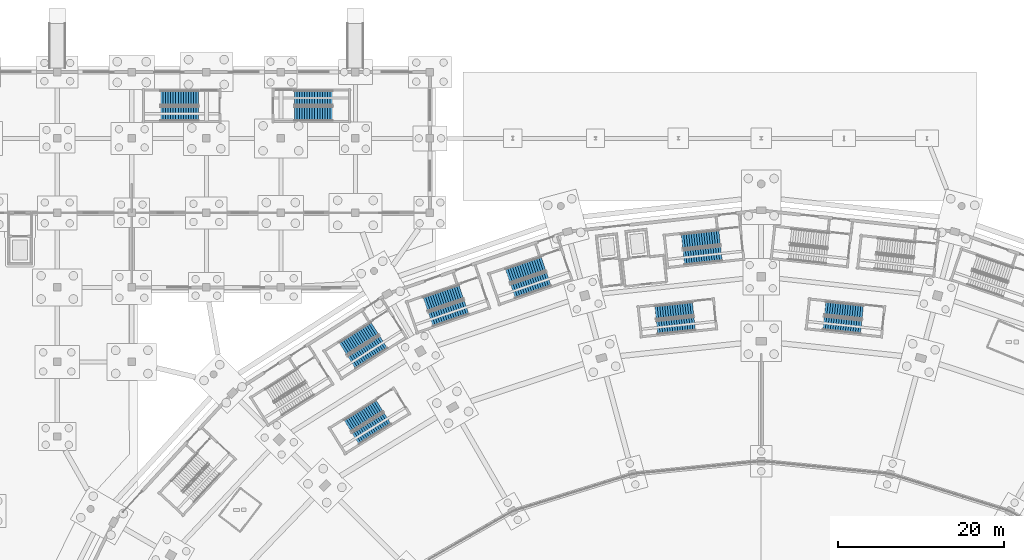
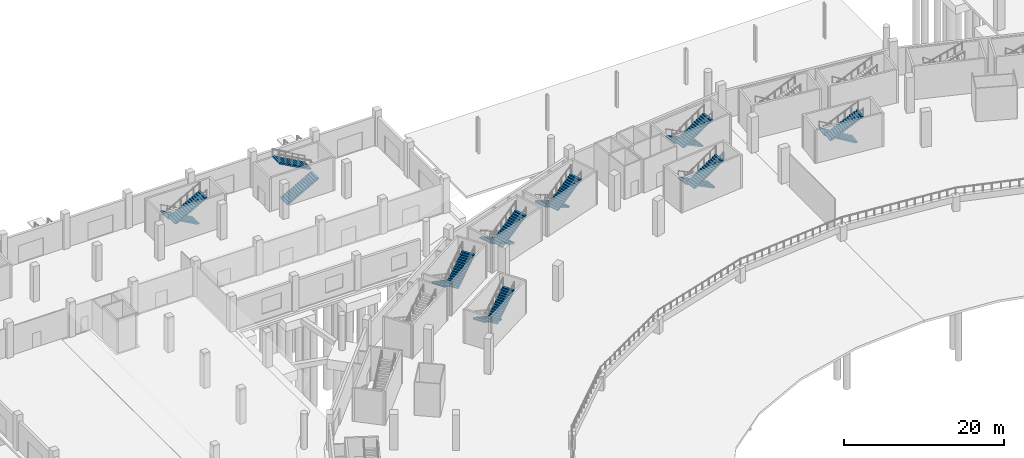
# One storey, part 54 of 103: 18 stair flights, 9 elements without a shape of their own.
"""IFC4 building model written with IfcOpenShell, lengths in metres."""

import ifcopenshell
import ifcopenshell.guid

model = None  # the IFC model being written
_history = None  # IfcOwnerHistory: only IFC2X3 demands one
_inside = {}  # id of a spatial element -> (the spatial element, [elements in it])
_under = {}  # id of a project, library or spatial element -> (it, [spatial elements below it])
_declared = {}  # id of a project -> (the project, [libraries it declares])
_typed = {}  # id of a type object -> (the type object, [elements of that type])
_made_of = {}  # id of a material, layer set ... -> (it, [elements and type objects made of it])


def new_model(schema):
    """Start an empty IFC model of exactly this schema.

    Asked for "IFC4X3", IfcOpenShell would pick the latest addendum, in which some entities
    have other attributes; the version numbers below select the first issue.
    IFC2X3 requires an IfcOwnerHistory on every rooted entity: one is made here for all.
    """
    global model, _history
    if schema == "IFC4X3":
        model = ifcopenshell.file(schema_version=(4, 3, 0, 0))
    else:
        model = ifcopenshell.file(schema=schema)
    _inside.clear()
    _under.clear()
    _declared.clear()
    _typed.clear()
    _made_of.clear()
    _history = None
    if model.schema == "IFC2X3":
        org = make("IfcOrganization", Name="unknown")
        user = make(
            "IfcPersonAndOrganization",
            ThePerson=make("IfcPerson", FamilyName="unknown"),
            TheOrganization=org,
        )
        app = make(
            "IfcApplication",
            ApplicationDeveloper=org,
            Version="unknown",
            ApplicationFullName="unknown",
            ApplicationIdentifier="unknown",
        )
        _history = make(
            "IfcOwnerHistory",
            OwningUser=user,
            OwningApplication=app,
            ChangeAction="ADDED",
            CreationDate=0,
        )
    return model


def make(cls, **values):
    """One entity of the class cls with the attributes given. An attribute that is None is left unset."""
    return model.create_entity(
        cls, **{name: value for name, value in values.items() if value is not None}
    )


def rooted(cls, **values):
    """An entity with a GlobalId (a new one), such as an element, a storey or a relation."""
    return make(cls, GlobalId=ifcopenshell.guid.new(), OwnerHistory=_history, **values)


def si_unit(unit_type, name, prefix=None):
    """IfcSIUnit, for example si_unit("LENGTHUNIT", "METRE", prefix="MILLI")."""
    return make("IfcSIUnit", UnitType=unit_type, Prefix=prefix, Name=name)


def assignment(units):
    """IfcUnitAssignment: the units of a project."""
    return None if units is None else make("IfcUnitAssignment", Units=units)


def point(xyz):
    """IfcCartesianPoint."""
    return None if xyz is None else make("IfcCartesianPoint", Coordinates=xyz)


def direction(xyz):
    """IfcDirection."""
    return None if xyz is None else make("IfcDirection", DirectionRatios=xyz)


def frame(location, z_axis=None, x_axis=None):
    """IfcAxis2Placement3D, a coordinate frame: its origin and axes. An axis left out is left unset."""
    return make(
        "IfcAxis2Placement3D",
        Location=point(location),
        Axis=direction(z_axis),
        RefDirection=direction(x_axis),
    )


def origin():
    """The frame at (0, 0, 0) with its axes left unset."""
    return frame((0.0, 0.0, 0.0))


def place(relative_to, where):
    """IfcLocalPlacement: puts the frame where relative to a parent placement (None: the world)."""
    return make(
        "IfcLocalPlacement", PlacementRelTo=relative_to, RelativePlacement=where
    )


def context(
    kind, dimensions, precision=None, world=None, true_north=None, identifier=None
):
    """IfcGeometricRepresentationContext, for example the 3D "Model" context."""
    return make(
        "IfcGeometricRepresentationContext",
        ContextIdentifier=identifier,
        ContextType=kind,
        CoordinateSpaceDimension=dimensions,
        Precision=precision,
        WorldCoordinateSystem=world,
        TrueNorth=true_north,
    )


def subcontext(parent, identifier, kind, view, scale=None):
    """IfcGeometricRepresentationSubContext, for example "Body" below "Model"."""
    return make(
        "IfcGeometricRepresentationSubContext",
        ContextIdentifier=identifier,
        ContextType=kind,
        ParentContext=parent,
        TargetScale=scale,
        TargetView=view,
    )


def project(units=None, contexts=None):
    """IfcProject with its units and contexts."""
    return rooted(
        "IfcProject",
        Name="project",
        RepresentationContexts=contexts,
        UnitsInContext=assignment(units),
    )


def spatial(cls, under=None, at=None, **own):
    """A site, building, storey or space (cls), placed at a placement, below another one or the project."""
    s = rooted(cls, ObjectPlacement=at, **own)
    if under is not None:
        _under.setdefault(under.id(), (under, []))[1].append(s)
    return s


def polyline(points):
    """IfcPolyline through the points."""
    return make("IfcPolyline", Points=[point(p) for p in points])


def outline(outer, holes=None, kind="AREA"):
    """IfcArbitraryClosedProfileDef: a profile drawn as a closed curve; with holes, ...WithVoids."""
    if holes is None:
        return make("IfcArbitraryClosedProfileDef", ProfileType=kind, OuterCurve=outer)
    return make(
        "IfcArbitraryProfileDefWithVoids",
        ProfileType=kind,
        OuterCurve=outer,
        InnerCurves=holes,
    )


def extrude(swept, where, along, depth):
    """IfcExtrudedAreaSolid: the profile swept, set in the frame where, extruded along a direction by depth."""
    return make(
        "IfcExtrudedAreaSolid",
        SweptArea=swept,
        Position=where,
        ExtrudedDirection=direction(along),
        Depth=depth,
    )


def shape(context_of_items, identifier, shape_type, items):
    """IfcShapeRepresentation: the items that make up one representation, for example the "Body"."""
    return make(
        "IfcShapeRepresentation",
        ContextOfItems=context_of_items,
        RepresentationIdentifier=identifier,
        RepresentationType=shape_type,
        Items=items,
    )


def material(Name=None, Category=None):
    """IfcMaterial."""
    return make("IfcMaterial", Name=Name, Category=Category)


def made_of(thing, what):
    """Note that an element or type object is made of a material, layer set ...; save() writes the relation."""
    if what is not None:
        _made_of.setdefault(what.id(), (what, []))[1].append(thing)
    return thing


def type_object(cls, material=None, **own):
    """A type object (cls), such as IfcWallType, which elements share."""
    return made_of(rooted(cls, **own), material)


def element(
    cls,
    number,
    at=None,
    inside=None,
    cuts=None,
    type_object=None,
    material=None,
    context=None,
    identifier="Body",
    shape_type=None,
    held_by="IfcProductDefinitionShape",
    body=None,
    shapes=None,
    **own,
):
    """One element of the class cls, such as IfcWall. Its Tag is "e" and its number.

    at: its placement. inside: the storey or other place that contains it. cuts: it is an
    opening in that element (IfcRelVoidsElement). A single representation is given by context,
    identifier, shape_type and body (its items); several are given by shapes. held_by: the class
    of the entity that holds the representations. save() writes the other relations.
    """
    e = rooted(cls, Tag="e%d" % number, ObjectPlacement=at, **own)
    if body is not None:
        shapes = [shape(context, identifier, shape_type, body)]
    if shapes is not None:
        e.Representation = make(held_by, Representations=shapes)
    if inside is not None:
        _inside.setdefault(inside.id(), (inside, []))[1].append(e)
    if cuts is not None:
        rooted(
            "IfcRelVoidsElement", RelatingBuildingElement=cuts, RelatedOpeningElement=e
        )
    if type_object is not None:
        _typed.setdefault(type_object.id(), (type_object, []))[1].append(e)
    return made_of(e, material)


def aggregate(whole, parts):
    """IfcRelAggregates: a whole, such as a stair, and the parts it consists of."""
    return rooted("IfcRelAggregates", RelatingObject=whole, RelatedObjects=parts)


def save(model, path):
    """Write the relations noted so far, then the file.

    IfcRelAggregates (storeys below a building ...), IfcRelContainedInSpatialStructure (elements
    in a storey), IfcRelDefinesByType, IfcRelAssociatesMaterial and IfcRelDeclares: one each for
    every whole, place, type object, material and project.
    """
    for whole, parts in _under.values():
        aggregate(whole, parts)
    for where, things in _inside.values():
        rooted(
            "IfcRelContainedInSpatialStructure",
            RelatedElements=things,
            RelatingStructure=where,
        )
    for kind, things in _typed.values():
        rooted("IfcRelDefinesByType", RelatedObjects=things, RelatingType=kind)
    for what, things in _made_of.values():
        rooted("IfcRelAssociatesMaterial", RelatedObjects=things, RelatingMaterial=what)
    for by, libraries in _declared.values():
        rooted("IfcRelDeclares", RelatingContext=by, RelatedDefinitions=libraries)
    model.write(path)


model = new_model("IFC4")

# Units and contexts
model_context = context("Model", 3, precision=1e-05, world=origin(), true_north=direction((0.0, 1.0)))
body_context = subcontext(model_context, "Body", "Model", "MODEL_VIEW")
ifc_project = project(units=[si_unit("LENGTHUNIT", "METRE"), si_unit("AREAUNIT", "SQUARE_METRE"), si_unit("VOLUMEUNIT", "CUBIC_METRE"), si_unit("PLANEANGLEUNIT", "RADIAN"), si_unit("MASSUNIT", "GRAM", prefix="KILO")], contexts=[model_context])

# Site, building, storey
site_placement = place(None, origin())
site = spatial("IfcSite", under=ifc_project, at=site_placement, CompositionType="ELEMENT")
building_placement = place(site_placement, origin())
building = spatial("IfcBuilding", under=site, at=building_placement, Name="Zevraka Park Crest Stadium", CompositionType="ELEMENT")
storey_placement = place(building_placement, origin())
storey = spatial("IfcBuildingStorey", under=building, at=storey_placement, Name="L00", CompositionType="ELEMENT", Elevation=0.0)

# Stair, stair flights
ifc_material_1 = material(Name="Concrete C35/45", Category="concrete")
stair_type_1 = type_object("IfcStairType", Name="STA1", PredefinedType="HALF_TURN_STAIR", material=ifc_material_1)
stair_1_placement = place(storey_placement, origin())
stair_1 = element("IfcStair", 1, at=stair_1_placement, inside=storey, type_object=stair_type_1, Name="L00 Protected Concourse Exit Stair ST07", PredefinedType="HALF_TURN_STAIR")
ifc_material_2 = material(Name="Concrete C35/45", Category="concrete")
stair_flight_type_1 = type_object("IfcStairFlightType", Name="FLA1", PredefinedType="STRAIGHT", material=ifc_material_2)
stair_flight_1_placement = place(storey_placement, frame((106.97509765625, 164.038818359375, 0.0), z_axis=(0.0, 0.0, 1.0), x_axis=(-0.994127567381, -0.108214508149, 0.0)))
stair_flight_1 = element("IfcStairFlight", 2, at=stair_flight_1_placement, type_object=stair_flight_type_1, Name="ST07 flight 1", NumberOfRisers=16, NumberOfTreads=15, PredefinedType="STRAIGHT", RiserHeight=0.16875, TreadLength=0.305, context=body_context, shape_type="SweptSolid", body=[
    extrude(outline(polyline([(0.0, 0.0), (0.0, 0.168701171875), (0.304931640625, 0.168701171875), (0.304931640625, 0.33740234375), (0.610107421875, 0.33740234375), (0.610107421875, 0.50634765625), (0.9150390625, 0.50634765625), (0.9150390625, 0.675048828125), (1.219970703125, 0.675048828125), (1.219970703125, 0.84375), (1.52490234375, 0.84375), (1.52490234375, 1.012451171875), (1.830078125, 1.012451171875), (1.830078125, 1.18115234375), (2.135009765625, 1.18115234375), (2.135009765625, 1.35009765625), (2.43994140625, 1.35009765625), (2.43994140625, 1.518798828125), (2.7451171875, 1.518798828125), (2.7451171875, 1.6875), (3.050048828125, 1.6875), (3.050048828125, 1.856201171875), (3.35498046875, 1.856201171875), (3.35498046875, 2.02490234375), (3.659912109375, 2.02490234375), (3.659912109375, 2.19384765625), (3.965087890625, 2.19384765625), (3.965087890625, 2.362548828125), (4.27001953125, 2.362548828125), (4.27001953125, 2.53125), (4.574951171875, 2.53125), (4.574951171875, 2.699951171875), (4.574951171875, 2.348388671875), (0.330322265625, 0.0), (0.0, 0.0)])), frame((0.0, 0.89990234375, 0.0), z_axis=(0.0, -1.0, 0.0), x_axis=(1.0, 0.0, 0.0)), (0.0, 0.0, 1.0), 1.800048828125),
])
stair_flight_2_placement = place(storey_placement, frame((102.63916015625, 161.59521484375, 2.699951171875), z_axis=(0.0, 0.0, 1.0), x_axis=(0.994127567381, 0.108214508149, 0.0)))
stair_flight_2 = element("IfcStairFlight", 3, at=stair_flight_2_placement, type_object=stair_flight_type_1, Name="ST07 flight 2", NumberOfRisers=16, NumberOfTreads=15, PredefinedType="STRAIGHT", RiserHeight=0.16875, TreadLength=0.305, context=body_context, shape_type="SweptSolid", body=[
    extrude(outline(polyline([(0.0, 0.0), (0.0, 0.168701171875), (0.304931640625, 0.168701171875), (0.304931640625, 0.33740234375), (0.610107421875, 0.33740234375), (0.610107421875, 0.50634765625), (0.9150390625, 0.50634765625), (0.9150390625, 0.675048828125), (1.219970703125, 0.675048828125), (1.219970703125, 0.84375), (1.52490234375, 0.84375), (1.52490234375, 1.012451171875), (1.830078125, 1.012451171875), (1.830078125, 1.18115234375), (2.135009765625, 1.18115234375), (2.135009765625, 1.35009765625), (2.43994140625, 1.35009765625), (2.43994140625, 1.518798828125), (2.7451171875, 1.518798828125), (2.7451171875, 1.6875), (3.050048828125, 1.6875), (3.050048828125, 1.856201171875), (3.35498046875, 1.856201171875), (3.35498046875, 2.02490234375), (3.659912109375, 2.02490234375), (3.659912109375, 2.19384765625), (3.965087890625, 2.19384765625), (3.965087890625, 2.362548828125), (4.27001953125, 2.362548828125), (4.27001953125, 2.53125), (4.574951171875, 2.53125), (4.574951171875, 2.699951171875), (4.574951171875, 2.348388671875), (0.330322265625, 0.0), (0.0, 0.0)])), frame((0.0, 0.89990234375, 0.0), z_axis=(0.0, -1.0, 0.0), x_axis=(1.0, 0.0, 0.0)), (0.0, 0.0, 1.0), 1.800048828125),
])
aggregate(stair_1, [stair_flight_1, stair_flight_2])

stair_2_placement = place(storey_placement, origin())
stair_2 = element("IfcStair", 4, at=stair_2_placement, inside=storey, type_object=stair_type_1, Name="L00 Protected Concourse Exit Stair ST08", PredefinedType="HALF_TURN_STAIR")
stair_flight_3_placement = place(storey_placement, frame((85.70849609375, 160.86767578125, 0.0), z_axis=(0.0, 0.0, 1.0), x_axis=(-0.946066135515, -0.323973559463, 0.0)))
stair_flight_3 = element("IfcStairFlight", 5, at=stair_flight_3_placement, type_object=stair_flight_type_1, Name="ST08 flight 1", NumberOfRisers=16, NumberOfTreads=15, PredefinedType="STRAIGHT", RiserHeight=0.16875, TreadLength=0.305, context=body_context, shape_type="SweptSolid", body=[
    extrude(outline(polyline([(0.0, 0.0), (0.0, 0.168701171875), (0.304931640625, 0.168701171875), (0.304931640625, 0.33740234375), (0.610107421875, 0.33740234375), (0.610107421875, 0.50634765625), (0.9150390625, 0.50634765625), (0.9150390625, 0.675048828125), (1.219970703125, 0.675048828125), (1.219970703125, 0.84375), (1.52490234375, 0.84375), (1.52490234375, 1.012451171875), (1.830078125, 1.012451171875), (1.830078125, 1.18115234375), (2.135009765625, 1.18115234375), (2.135009765625, 1.35009765625), (2.43994140625, 1.35009765625), (2.43994140625, 1.518798828125), (2.7451171875, 1.518798828125), (2.7451171875, 1.6875), (3.050048828125, 1.6875), (3.050048828125, 1.856201171875), (3.35498046875, 1.856201171875), (3.35498046875, 2.02490234375), (3.659912109375, 2.02490234375), (3.659912109375, 2.19384765625), (3.965087890625, 2.19384765625), (3.965087890625, 2.362548828125), (4.27001953125, 2.362548828125), (4.27001953125, 2.53125), (4.574951171875, 2.53125), (4.574951171875, 2.699951171875), (4.574951171875, 2.348388671875), (0.330322265625, 0.0), (0.0, 0.0)])), frame((0.0, 0.89990234375, 0.0), z_axis=(0.0, -1.0, 0.0), x_axis=(1.0, 0.0, 0.0)), (0.0, 0.0, 1.0), 1.800048828125),
])
stair_flight_4_placement = place(storey_placement, frame((82.01513671875, 157.53125, 2.699951171875), z_axis=(0.0, 0.0, 1.0), x_axis=(0.946066135515, 0.323973559463, 0.0)))
stair_flight_4 = element("IfcStairFlight", 6, at=stair_flight_4_placement, type_object=stair_flight_type_1, Name="ST08 flight 2", NumberOfRisers=16, NumberOfTreads=15, PredefinedType="STRAIGHT", RiserHeight=0.16875, TreadLength=0.305, context=body_context, shape_type="SweptSolid", body=[
    extrude(outline(polyline([(0.0, 0.0), (0.0, 0.168701171875), (0.304931640625, 0.168701171875), (0.304931640625, 0.33740234375), (0.610107421875, 0.33740234375), (0.610107421875, 0.50634765625), (0.9150390625, 0.50634765625), (0.9150390625, 0.675048828125), (1.219970703125, 0.675048828125), (1.219970703125, 0.84375), (1.52490234375, 0.84375), (1.52490234375, 1.012451171875), (1.830078125, 1.012451171875), (1.830078125, 1.18115234375), (2.135009765625, 1.18115234375), (2.135009765625, 1.35009765625), (2.43994140625, 1.35009765625), (2.43994140625, 1.518798828125), (2.7451171875, 1.518798828125), (2.7451171875, 1.6875), (3.050048828125, 1.6875), (3.050048828125, 1.856201171875), (3.35498046875, 1.856201171875), (3.35498046875, 2.02490234375), (3.659912109375, 2.02490234375), (3.659912109375, 2.19384765625), (3.965087890625, 2.19384765625), (3.965087890625, 2.362548828125), (4.27001953125, 2.362548828125), (4.27001953125, 2.53125), (4.574951171875, 2.53125), (4.574951171875, 2.699951171875), (4.574951171875, 2.348388671875), (0.330322265625, 0.0), (0.0, 0.0)])), frame((0.0, 0.89990234375, 0.0), z_axis=(0.0, -1.0, 0.0), x_axis=(1.0, 0.0, 0.0)), (0.0, 0.0, 1.0), 1.800048828125),
])
aggregate(stair_2, [stair_flight_3, stair_flight_4])

stair_3_placement = place(storey_placement, origin())
stair_3 = element("IfcStair", 7, at=stair_3_placement, inside=storey, type_object=stair_type_1, Name="L00 Protected Concourse Exit Stair ST09", PredefinedType="HALF_TURN_STAIR")
stair_flight_5_placement = place(storey_placement, frame((65.35009765625, 153.042724609375, 0.0), z_axis=(0.0, 0.0, 1.0), x_axis=(-0.844397122829, -0.535717741874, 0.0)))
stair_flight_5 = element("IfcStairFlight", 8, at=stair_flight_5_placement, type_object=stair_flight_type_1, Name="ST09 flight 1", NumberOfRisers=16, NumberOfTreads=15, PredefinedType="STRAIGHT", RiserHeight=0.16875, TreadLength=0.305, context=body_context, shape_type="SweptSolid", body=[
    extrude(outline(polyline([(0.0, 0.0), (0.0, 0.168701171875), (0.304931640625, 0.168701171875), (0.304931640625, 0.33740234375), (0.610107421875, 0.33740234375), (0.610107421875, 0.50634765625), (0.9150390625, 0.50634765625), (0.9150390625, 0.675048828125), (1.219970703125, 0.675048828125), (1.219970703125, 0.84375), (1.52490234375, 0.84375), (1.52490234375, 1.012451171875), (1.830078125, 1.012451171875), (1.830078125, 1.18115234375), (2.135009765625, 1.18115234375), (2.135009765625, 1.35009765625), (2.43994140625, 1.35009765625), (2.43994140625, 1.518798828125), (2.7451171875, 1.518798828125), (2.7451171875, 1.6875), (3.050048828125, 1.6875), (3.050048828125, 1.856201171875), (3.35498046875, 1.856201171875), (3.35498046875, 2.02490234375), (3.659912109375, 2.02490234375), (3.659912109375, 2.19384765625), (3.965087890625, 2.19384765625), (3.965087890625, 2.362548828125), (4.27001953125, 2.362548828125), (4.27001953125, 2.53125), (4.574951171875, 2.53125), (4.574951171875, 2.699951171875), (4.574951171875, 2.348388671875), (0.330322265625, 0.0), (0.0, 0.0)])), frame((0.0, 0.89990234375, 0.0), z_axis=(0.0, -1.0, 0.0), x_axis=(1.0, 0.0, 0.0)), (0.0, 0.0, 1.0), 1.800048828125),
])
stair_flight_6_placement = place(storey_placement, frame((62.537109375, 148.936767578125, 2.699951171875), z_axis=(0.0, 0.0, 1.0), x_axis=(0.844397122829, 0.535717741874, 0.0)))
stair_flight_6 = element("IfcStairFlight", 9, at=stair_flight_6_placement, type_object=stair_flight_type_1, Name="ST09 flight 2", NumberOfRisers=16, NumberOfTreads=15, PredefinedType="STRAIGHT", RiserHeight=0.16875, TreadLength=0.305, context=body_context, shape_type="SweptSolid", body=[
    extrude(outline(polyline([(0.0, 0.0), (0.0, 0.168701171875), (0.304931640625, 0.168701171875), (0.304931640625, 0.33740234375), (0.610107421875, 0.33740234375), (0.610107421875, 0.50634765625), (0.9150390625, 0.50634765625), (0.9150390625, 0.675048828125), (1.219970703125, 0.675048828125), (1.219970703125, 0.84375), (1.52490234375, 0.84375), (1.52490234375, 1.012451171875), (1.830078125, 1.012451171875), (1.830078125, 1.18115234375), (2.135009765625, 1.18115234375), (2.135009765625, 1.35009765625), (2.43994140625, 1.35009765625), (2.43994140625, 1.518798828125), (2.7451171875, 1.518798828125), (2.7451171875, 1.6875), (3.050048828125, 1.6875), (3.050048828125, 1.856201171875), (3.35498046875, 1.856201171875), (3.35498046875, 2.02490234375), (3.659912109375, 2.02490234375), (3.659912109375, 2.19384765625), (3.965087890625, 2.19384765625), (3.965087890625, 2.362548828125), (4.27001953125, 2.362548828125), (4.27001953125, 2.53125), (4.574951171875, 2.53125), (4.574951171875, 2.699951171875), (4.574951171875, 2.348388671875), (0.330322265625, 0.0), (0.0, 0.0)])), frame((0.0, 0.89990234375, 0.0), z_axis=(0.0, -1.0, 0.0), x_axis=(1.0, 0.0, 0.0)), (0.0, 0.0, 1.0), 1.800048828125),
])
aggregate(stair_3, [stair_flight_5, stair_flight_6])

stair_4_placement = place(storey_placement, origin())
stair_4 = element("IfcStair", 10, at=stair_4_placement, inside=storey, type_object=stair_type_1, Name="L00 Protected Paired Concourse Exit Stair ST27", PredefinedType="HALF_TURN_STAIR")
stair_flight_7_placement = place(storey_placement, frame((75.7744140625, 157.466552734375, 0.0), z_axis=(0.0, 0.0, 1.0), x_axis=(-0.946066135515, -0.323973559463, 0.0)))
stair_flight_7 = element("IfcStairFlight", 11, at=stair_flight_7_placement, type_object=stair_flight_type_1, Name="ST27 flight 1", NumberOfRisers=16, NumberOfTreads=15, PredefinedType="STRAIGHT", RiserHeight=0.16875, TreadLength=0.305, context=body_context, shape_type="SweptSolid", body=[
    extrude(outline(polyline([(0.0, 0.0), (0.0, 0.168701171875), (0.304931640625, 0.168701171875), (0.304931640625, 0.33740234375), (0.610107421875, 0.33740234375), (0.610107421875, 0.50634765625), (0.9150390625, 0.50634765625), (0.9150390625, 0.675048828125), (1.219970703125, 0.675048828125), (1.219970703125, 0.84375), (1.52490234375, 0.84375), (1.52490234375, 1.012451171875), (1.830078125, 1.012451171875), (1.830078125, 1.18115234375), (2.135009765625, 1.18115234375), (2.135009765625, 1.35009765625), (2.43994140625, 1.35009765625), (2.43994140625, 1.518798828125), (2.7451171875, 1.518798828125), (2.7451171875, 1.6875), (3.050048828125, 1.6875), (3.050048828125, 1.856201171875), (3.35498046875, 1.856201171875), (3.35498046875, 2.02490234375), (3.659912109375, 2.02490234375), (3.659912109375, 2.19384765625), (3.965087890625, 2.19384765625), (3.965087890625, 2.362548828125), (4.27001953125, 2.362548828125), (4.27001953125, 2.53125), (4.574951171875, 2.53125), (4.574951171875, 2.699951171875), (4.574951171875, 2.348388671875), (0.330322265625, 0.0), (0.0, 0.0)])), frame((0.0, 0.89990234375, 0.0), z_axis=(0.0, -1.0, 0.0), x_axis=(1.0, 0.0, 0.0)), (0.0, 0.0, 1.0), 1.800048828125),
])
stair_flight_8_placement = place(storey_placement, frame((72.0810546875, 154.130126953125, 2.699951171875), z_axis=(0.0, 0.0, 1.0), x_axis=(0.946066135515, 0.323973559463, 0.0)))
stair_flight_8 = element("IfcStairFlight", 12, at=stair_flight_8_placement, type_object=stair_flight_type_1, Name="ST27 flight 2", NumberOfRisers=16, NumberOfTreads=15, PredefinedType="STRAIGHT", RiserHeight=0.16875, TreadLength=0.305, context=body_context, shape_type="SweptSolid", body=[
    extrude(outline(polyline([(0.0, 0.0), (0.0, 0.168701171875), (0.304931640625, 0.168701171875), (0.304931640625, 0.33740234375), (0.610107421875, 0.33740234375), (0.610107421875, 0.50634765625), (0.9150390625, 0.50634765625), (0.9150390625, 0.675048828125), (1.219970703125, 0.675048828125), (1.219970703125, 0.84375), (1.52490234375, 0.84375), (1.52490234375, 1.012451171875), (1.830078125, 1.012451171875), (1.830078125, 1.18115234375), (2.135009765625, 1.18115234375), (2.135009765625, 1.35009765625), (2.43994140625, 1.35009765625), (2.43994140625, 1.518798828125), (2.7451171875, 1.518798828125), (2.7451171875, 1.6875), (3.050048828125, 1.6875), (3.050048828125, 1.856201171875), (3.35498046875, 1.856201171875), (3.35498046875, 2.02490234375), (3.659912109375, 2.02490234375), (3.659912109375, 2.19384765625), (3.965087890625, 2.19384765625), (3.965087890625, 2.362548828125), (4.27001953125, 2.362548828125), (4.27001953125, 2.53125), (4.574951171875, 2.53125), (4.574951171875, 2.699951171875), (4.574951171875, 2.348388671875), (0.330322265625, 0.0), (0.0, 0.0)])), frame((0.0, 0.89990234375, 0.0), z_axis=(0.0, -1.0, 0.0), x_axis=(1.0, 0.0, 0.0)), (0.0, 0.0, 1.0), 1.800048828125),
])
aggregate(stair_4, [stair_flight_7, stair_flight_8])

ifc_material_3 = material(Name="Concrete C35/45", Category="concrete")
stair_type_2 = type_object("IfcStairType", Name="STB1", PredefinedType="HALF_TURN_STAIR", material=ifc_material_3)
stair_5_placement = place(storey_placement, origin())
stair_5 = element("IfcStair", 13, at=stair_5_placement, inside=storey, type_object=stair_type_2, Name="L00 Protected Concourse Relief Stair ST35", PredefinedType="HALF_TURN_STAIR")
ifc_material_4 = material(Name="Concrete C35/45", Category="concrete")
stair_flight_type_2 = type_object("IfcStairFlightType", Name="FLB1", PredefinedType="STRAIGHT", material=ifc_material_4)
stair_flight_9_placement = place(storey_placement, frame((124.25537109375, 155.005859375, 0.0), z_axis=(0.0, 0.0, 1.0), x_axis=(-0.994381814459, 0.105852761294, 0.0)))
stair_flight_9 = element("IfcStairFlight", 14, at=stair_flight_9_placement, type_object=stair_flight_type_2, Name="ST35 flight 1", NumberOfRisers=16, NumberOfTreads=15, PredefinedType="STRAIGHT", RiserHeight=0.16875, TreadLength=0.305, context=body_context, shape_type="SweptSolid", body=[
    extrude(outline(polyline([(0.0, 0.0), (0.0, 0.168701171875), (0.304931640625, 0.168701171875), (0.304931640625, 0.33740234375), (0.610107421875, 0.33740234375), (0.610107421875, 0.50634765625), (0.9150390625, 0.50634765625), (0.9150390625, 0.675048828125), (1.219970703125, 0.675048828125), (1.219970703125, 0.84375), (1.52490234375, 0.84375), (1.52490234375, 1.012451171875), (1.830078125, 1.012451171875), (1.830078125, 1.18115234375), (2.135009765625, 1.18115234375), (2.135009765625, 1.35009765625), (2.43994140625, 1.35009765625), (2.43994140625, 1.518798828125), (2.7451171875, 1.518798828125), (2.7451171875, 1.6875), (3.050048828125, 1.6875), (3.050048828125, 1.856201171875), (3.35498046875, 1.856201171875), (3.35498046875, 2.02490234375), (3.659912109375, 2.02490234375), (3.659912109375, 2.19384765625), (3.965087890625, 2.19384765625), (3.965087890625, 2.362548828125), (4.27001953125, 2.362548828125), (4.27001953125, 2.53125), (4.574951171875, 2.53125), (4.574951171875, 2.699951171875), (4.574951171875, 2.348388671875), (0.330322265625, 0.0), (0.0, 0.0)])), frame((0.0, 0.824951171875, 0.0), z_axis=(0.0, -1.0, 0.0), x_axis=(1.0, 0.0, 0.0)), (0.0, 0.0, 1.0), 1.64990234375),
])
stair_flight_10_placement = place(storey_placement, frame((119.5146484375, 153.6904296875, 2.699951171875), z_axis=(0.0, 0.0, 1.0), x_axis=(0.994381814459, -0.105852761294, 0.0)))
stair_flight_10 = element("IfcStairFlight", 15, at=stair_flight_10_placement, type_object=stair_flight_type_2, Name="ST35 flight 2", NumberOfRisers=16, NumberOfTreads=15, PredefinedType="STRAIGHT", RiserHeight=0.16875, TreadLength=0.305, context=body_context, shape_type="SweptSolid", body=[
    extrude(outline(polyline([(0.0, 0.0), (0.0, 0.168701171875), (0.304931640625, 0.168701171875), (0.304931640625, 0.33740234375), (0.610107421875, 0.33740234375), (0.610107421875, 0.50634765625), (0.9150390625, 0.50634765625), (0.9150390625, 0.675048828125), (1.219970703125, 0.675048828125), (1.219970703125, 0.84375), (1.52490234375, 0.84375), (1.52490234375, 1.012451171875), (1.830078125, 1.012451171875), (1.830078125, 1.18115234375), (2.135009765625, 1.18115234375), (2.135009765625, 1.35009765625), (2.43994140625, 1.35009765625), (2.43994140625, 1.518798828125), (2.7451171875, 1.518798828125), (2.7451171875, 1.6875), (3.050048828125, 1.6875), (3.050048828125, 1.856201171875), (3.35498046875, 1.856201171875), (3.35498046875, 2.02490234375), (3.659912109375, 2.02490234375), (3.659912109375, 2.19384765625), (3.965087890625, 2.19384765625), (3.965087890625, 2.362548828125), (4.27001953125, 2.362548828125), (4.27001953125, 2.53125), (4.574951171875, 2.53125), (4.574951171875, 2.699951171875), (4.574951171875, 2.348388671875), (0.330322265625, 0.0), (0.0, 0.0)])), frame((0.0, 0.824951171875, 0.0), z_axis=(0.0, -1.0, 0.0), x_axis=(1.0, 0.0, 0.0)), (0.0, 0.0, 1.0), 1.64990234375),
])
aggregate(stair_5, [stair_flight_9, stair_flight_10])

stair_6_placement = place(storey_placement, origin())
stair_6 = element("IfcStair", 16, at=stair_6_placement, inside=storey, type_object=stair_type_2, Name="L00 Protected Concourse Relief Stair ST36", PredefinedType="HALF_TURN_STAIR")
stair_flight_11_placement = place(storey_placement, frame((103.77197265625, 155.434326171875, 0.0), z_axis=(0.0, 0.0, 1.0), x_axis=(-0.994381814459, -0.105852761294, 0.0)))
stair_flight_11 = element("IfcStairFlight", 17, at=stair_flight_11_placement, type_object=stair_flight_type_2, Name="ST36 flight 1", NumberOfRisers=16, NumberOfTreads=15, PredefinedType="STRAIGHT", RiserHeight=0.16875, TreadLength=0.305, context=body_context, shape_type="SweptSolid", body=[
    extrude(outline(polyline([(0.0, 0.0), (0.0, 0.168701171875), (0.304931640625, 0.168701171875), (0.304931640625, 0.33740234375), (0.610107421875, 0.33740234375), (0.610107421875, 0.50634765625), (0.9150390625, 0.50634765625), (0.9150390625, 0.675048828125), (1.219970703125, 0.675048828125), (1.219970703125, 0.84375), (1.52490234375, 0.84375), (1.52490234375, 1.012451171875), (1.830078125, 1.012451171875), (1.830078125, 1.18115234375), (2.135009765625, 1.18115234375), (2.135009765625, 1.35009765625), (2.43994140625, 1.35009765625), (2.43994140625, 1.518798828125), (2.7451171875, 1.518798828125), (2.7451171875, 1.6875), (3.050048828125, 1.6875), (3.050048828125, 1.856201171875), (3.35498046875, 1.856201171875), (3.35498046875, 2.02490234375), (3.659912109375, 2.02490234375), (3.659912109375, 2.19384765625), (3.965087890625, 2.19384765625), (3.965087890625, 2.362548828125), (4.27001953125, 2.362548828125), (4.27001953125, 2.53125), (4.574951171875, 2.53125), (4.574951171875, 2.699951171875), (4.574951171875, 2.348388671875), (0.330322265625, 0.0), (0.0, 0.0)])), frame((0.0, 0.824951171875, 0.0), z_axis=(0.0, -1.0, 0.0), x_axis=(1.0, 0.0, 0.0)), (0.0, 0.0, 1.0), 1.64990234375),
])
stair_flight_12_placement = place(storey_placement, frame((99.414306640625, 153.150146484375, 2.699951171875), z_axis=(0.0, 0.0, 1.0), x_axis=(0.994381814459, 0.105852761294, 0.0)))
stair_flight_12 = element("IfcStairFlight", 18, at=stair_flight_12_placement, type_object=stair_flight_type_2, Name="ST36 flight 2", NumberOfRisers=16, NumberOfTreads=15, PredefinedType="STRAIGHT", RiserHeight=0.16875, TreadLength=0.305, context=body_context, shape_type="SweptSolid", body=[
    extrude(outline(polyline([(0.0, 0.0), (0.0, 0.168701171875), (0.304931640625, 0.168701171875), (0.304931640625, 0.33740234375), (0.610107421875, 0.33740234375), (0.610107421875, 0.50634765625), (0.9150390625, 0.50634765625), (0.9150390625, 0.675048828125), (1.219970703125, 0.675048828125), (1.219970703125, 0.84375), (1.52490234375, 0.84375), (1.52490234375, 1.012451171875), (1.830078125, 1.012451171875), (1.830078125, 1.18115234375), (2.135009765625, 1.18115234375), (2.135009765625, 1.35009765625), (2.43994140625, 1.35009765625), (2.43994140625, 1.518798828125), (2.7451171875, 1.518798828125), (2.7451171875, 1.6875), (3.050048828125, 1.6875), (3.050048828125, 1.856201171875), (3.35498046875, 1.856201171875), (3.35498046875, 2.02490234375), (3.659912109375, 2.02490234375), (3.659912109375, 2.19384765625), (3.965087890625, 2.19384765625), (3.965087890625, 2.362548828125), (4.27001953125, 2.362548828125), (4.27001953125, 2.53125), (4.574951171875, 2.53125), (4.574951171875, 2.699951171875), (4.574951171875, 2.348388671875), (0.330322265625, 0.0), (0.0, 0.0)])), frame((0.0, 0.824951171875, 0.0), z_axis=(0.0, -1.0, 0.0), x_axis=(1.0, 0.0, 0.0)), (0.0, 0.0, 1.0), 1.64990234375),
])
aggregate(stair_6, [stair_flight_11, stair_flight_12])

stair_7_placement = place(storey_placement, origin())
stair_7 = element("IfcStair", 19, at=stair_7_placement, inside=storey, type_object=stair_type_2, Name="L00 Protected Concourse Relief Stair ST37", PredefinedType="HALF_TURN_STAIR")
stair_flight_13_placement = place(storey_placement, frame((65.92529296875, 143.7060546875, 0.0), z_axis=(0.0, 0.0, 1.0), x_axis=(-0.849693054671, -0.527277643035, 0.0)))
stair_flight_13 = element("IfcStairFlight", 20, at=stair_flight_13_placement, type_object=stair_flight_type_2, Name="ST37 flight 1", NumberOfRisers=16, NumberOfTreads=15, PredefinedType="STRAIGHT", RiserHeight=0.16875, TreadLength=0.305, context=body_context, shape_type="SweptSolid", body=[
    extrude(outline(polyline([(0.0, 0.0), (0.0, 0.168701171875), (0.304931640625, 0.168701171875), (0.304931640625, 0.33740234375), (0.610107421875, 0.33740234375), (0.610107421875, 0.50634765625), (0.9150390625, 0.50634765625), (0.9150390625, 0.675048828125), (1.219970703125, 0.675048828125), (1.219970703125, 0.84375), (1.52490234375, 0.84375), (1.52490234375, 1.012451171875), (1.830078125, 1.012451171875), (1.830078125, 1.18115234375), (2.135009765625, 1.18115234375), (2.135009765625, 1.35009765625), (2.43994140625, 1.35009765625), (2.43994140625, 1.518798828125), (2.7451171875, 1.518798828125), (2.7451171875, 1.6875), (3.050048828125, 1.6875), (3.050048828125, 1.856201171875), (3.35498046875, 1.856201171875), (3.35498046875, 2.02490234375), (3.659912109375, 2.02490234375), (3.659912109375, 2.19384765625), (3.965087890625, 2.19384765625), (3.965087890625, 2.362548828125), (4.27001953125, 2.362548828125), (4.27001953125, 2.53125), (4.574951171875, 2.53125), (4.574951171875, 2.699951171875), (4.574951171875, 2.348388671875), (0.330322265625, 0.0), (0.0, 0.0)])), frame((0.0, 0.824951171875, 0.0), z_axis=(0.0, -1.0, 0.0), x_axis=(1.0, 0.0, 0.0)), (0.0, 0.0, 1.0), 1.64990234375),
])
stair_flight_14_placement = place(storey_placement, frame((62.9921875, 139.755859375, 2.699951171875), z_axis=(0.0, 0.0, 1.0), x_axis=(0.849693054671, 0.527277643035, 0.0)))
stair_flight_14 = element("IfcStairFlight", 21, at=stair_flight_14_placement, type_object=stair_flight_type_2, Name="ST37 flight 2", NumberOfRisers=16, NumberOfTreads=15, PredefinedType="STRAIGHT", RiserHeight=0.16875, TreadLength=0.305, context=body_context, shape_type="SweptSolid", body=[
    extrude(outline(polyline([(0.0, 0.0), (0.0, 0.168701171875), (0.304931640625, 0.168701171875), (0.304931640625, 0.33740234375), (0.610107421875, 0.33740234375), (0.610107421875, 0.50634765625), (0.9150390625, 0.50634765625), (0.9150390625, 0.675048828125), (1.219970703125, 0.675048828125), (1.219970703125, 0.84375), (1.52490234375, 0.84375), (1.52490234375, 1.012451171875), (1.830078125, 1.012451171875), (1.830078125, 1.18115234375), (2.135009765625, 1.18115234375), (2.135009765625, 1.35009765625), (2.43994140625, 1.35009765625), (2.43994140625, 1.518798828125), (2.7451171875, 1.518798828125), (2.7451171875, 1.6875), (3.050048828125, 1.6875), (3.050048828125, 1.856201171875), (3.35498046875, 1.856201171875), (3.35498046875, 2.02490234375), (3.659912109375, 2.02490234375), (3.659912109375, 2.19384765625), (3.965087890625, 2.19384765625), (3.965087890625, 2.362548828125), (4.27001953125, 2.362548828125), (4.27001953125, 2.53125), (4.574951171875, 2.53125), (4.574951171875, 2.699951171875), (4.574951171875, 2.348388671875), (0.330322265625, 0.0), (0.0, 0.0)])), frame((0.0, 0.824951171875, 0.0), z_axis=(0.0, -1.0, 0.0), x_axis=(1.0, 0.0, 0.0)), (0.0, 0.0, 1.0), 1.64990234375),
])
aggregate(stair_7, [stair_flight_13, stair_flight_14])

ifc_material_5 = material(Name="Concrete C35/45", Category="concrete")
stair_type_3 = type_object("IfcStairType", Name="STC1", PredefinedType="HALF_TURN_STAIR", material=ifc_material_5)
stair_8_placement = place(storey_placement, origin())
stair_8 = element("IfcStair", 22, at=stair_8_placement, inside=storey, type_object=stair_type_3, Name="L00 Garden Court Arcade West Stair ST49", PredefinedType="HALF_TURN_STAIR")
ifc_material_6 = material(Name="Concrete C35/45", Category="concrete")
stair_flight_type_3 = type_object("IfcStairFlightType", Name="FLC1", PredefinedType="STRAIGHT", material=ifc_material_6)
stair_flight_15_placement = place(storey_placement, frame((44.050048828125, 180.875, 0.0), z_axis=(0.0, 0.0, 1.0), x_axis=(-1.0, 0.0, 0.0)))
stair_flight_15 = element("IfcStairFlight", 23, at=stair_flight_15_placement, type_object=stair_flight_type_3, Name="ST49 flight 1", NumberOfRisers=16, NumberOfTreads=15, PredefinedType="STRAIGHT", RiserHeight=0.16875, TreadLength=0.305, context=body_context, shape_type="SweptSolid", body=[
    extrude(outline(polyline([(0.0, 0.0), (0.0, 0.168701171875), (0.304931640625, 0.168701171875), (0.304931640625, 0.33740234375), (0.610107421875, 0.33740234375), (0.610107421875, 0.50634765625), (0.9150390625, 0.50634765625), (0.9150390625, 0.675048828125), (1.219970703125, 0.675048828125), (1.219970703125, 0.84375), (1.52490234375, 0.84375), (1.52490234375, 1.012451171875), (1.830078125, 1.012451171875), (1.830078125, 1.18115234375), (2.135009765625, 1.18115234375), (2.135009765625, 1.35009765625), (2.43994140625, 1.35009765625), (2.43994140625, 1.518798828125), (2.7451171875, 1.518798828125), (2.7451171875, 1.6875), (3.050048828125, 1.6875), (3.050048828125, 1.856201171875), (3.35498046875, 1.856201171875), (3.35498046875, 2.02490234375), (3.659912109375, 2.02490234375), (3.659912109375, 2.19384765625), (3.965087890625, 2.19384765625), (3.965087890625, 2.362548828125), (4.27001953125, 2.362548828125), (4.27001953125, 2.53125), (4.574951171875, 2.53125), (4.574951171875, 2.699951171875), (4.574951171875, 2.348388671875), (0.330322265625, 0.0), (0.0, 0.0)])), frame((0.0, 0.875, 0.0), z_axis=(0.0, -1.0, 0.0), x_axis=(1.0, 0.0, 0.0)), (0.0, 0.0, 1.0), 1.75),
])
stair_flight_16_placement = place(storey_placement, frame((39.47509765625, 178.965087890625, 2.699951171875), z_axis=(0.0, 0.0, 1.0), x_axis=(1.0, 0.0, 0.0)))
stair_flight_16 = element("IfcStairFlight", 24, at=stair_flight_16_placement, type_object=stair_flight_type_3, Name="ST49 flight 2", NumberOfRisers=16, NumberOfTreads=15, PredefinedType="STRAIGHT", RiserHeight=0.16875, TreadLength=0.305, context=body_context, shape_type="SweptSolid", body=[
    extrude(outline(polyline([(0.0, 0.0), (0.0, 0.168701171875), (0.304931640625, 0.168701171875), (0.304931640625, 0.33740234375), (0.610107421875, 0.33740234375), (0.610107421875, 0.50634765625), (0.9150390625, 0.50634765625), (0.9150390625, 0.675048828125), (1.219970703125, 0.675048828125), (1.219970703125, 0.84375), (1.52490234375, 0.84375), (1.52490234375, 1.012451171875), (1.830078125, 1.012451171875), (1.830078125, 1.18115234375), (2.135009765625, 1.18115234375), (2.135009765625, 1.35009765625), (2.43994140625, 1.35009765625), (2.43994140625, 1.518798828125), (2.7451171875, 1.518798828125), (2.7451171875, 1.6875), (3.050048828125, 1.6875), (3.050048828125, 1.856201171875), (3.35498046875, 1.856201171875), (3.35498046875, 2.02490234375), (3.659912109375, 2.02490234375), (3.659912109375, 2.19384765625), (3.965087890625, 2.19384765625), (3.965087890625, 2.362548828125), (4.27001953125, 2.362548828125), (4.27001953125, 2.53125), (4.574951171875, 2.53125), (4.574951171875, 2.699951171875), (4.574951171875, 2.348388671875), (0.330322265625, 0.0), (0.0, 0.0)])), frame((0.0, 0.875, 0.0), z_axis=(0.0, -1.0, 0.0), x_axis=(1.0, 0.0, 0.0)), (0.0, 0.0, 1.0), 1.75),
])
aggregate(stair_8, [stair_flight_15, stair_flight_16])

stair_9_placement = place(storey_placement, origin())
stair_9 = element("IfcStair", 25, at=stair_9_placement, inside=storey, type_object=stair_type_3, Name="L00 Garden Court Arcade East Stair ST50", PredefinedType="HALF_TURN_STAIR")
stair_flight_17_placement = place(storey_placement, frame((55.64990234375, 178.965087890625, 0.0), z_axis=(0.0, 0.0, 1.0), x_axis=(1.0, 0.0, 0.0)))
stair_flight_17 = element("IfcStairFlight", 26, at=stair_flight_17_placement, type_object=stair_flight_type_3, Name="ST50 flight 1", NumberOfRisers=16, NumberOfTreads=15, PredefinedType="STRAIGHT", RiserHeight=0.16875, TreadLength=0.305, context=body_context, shape_type="SweptSolid", body=[
    extrude(outline(polyline([(0.0, 0.0), (0.0, 0.168701171875), (0.304931640625, 0.168701171875), (0.304931640625, 0.33740234375), (0.610107421875, 0.33740234375), (0.610107421875, 0.50634765625), (0.9150390625, 0.50634765625), (0.9150390625, 0.675048828125), (1.219970703125, 0.675048828125), (1.219970703125, 0.84375), (1.52490234375, 0.84375), (1.52490234375, 1.012451171875), (1.830078125, 1.012451171875), (1.830078125, 1.18115234375), (2.135009765625, 1.18115234375), (2.135009765625, 1.35009765625), (2.43994140625, 1.35009765625), (2.43994140625, 1.518798828125), (2.7451171875, 1.518798828125), (2.7451171875, 1.6875), (3.050048828125, 1.6875), (3.050048828125, 1.856201171875), (3.35498046875, 1.856201171875), (3.35498046875, 2.02490234375), (3.659912109375, 2.02490234375), (3.659912109375, 2.19384765625), (3.965087890625, 2.19384765625), (3.965087890625, 2.362548828125), (4.27001953125, 2.362548828125), (4.27001953125, 2.53125), (4.574951171875, 2.53125), (4.574951171875, 2.699951171875), (4.574951171875, 2.348388671875), (0.330322265625, 0.0), (0.0, 0.0)])), frame((0.0, 0.875, 0.0), z_axis=(0.0, -1.0, 0.0), x_axis=(1.0, 0.0, 0.0)), (0.0, 0.0, 1.0), 1.75),
])
stair_flight_18_placement = place(storey_placement, frame((60.22509765625, 180.875, 2.699951171875), z_axis=(0.0, 0.0, 1.0), x_axis=(-1.0, 0.0, 0.0)))
stair_flight_18 = element("IfcStairFlight", 27, at=stair_flight_18_placement, type_object=stair_flight_type_3, Name="ST50 flight 2", NumberOfRisers=16, NumberOfTreads=15, PredefinedType="STRAIGHT", RiserHeight=0.16875, TreadLength=0.305, context=body_context, shape_type="SweptSolid", body=[
    extrude(outline(polyline([(0.0, 0.0), (0.0, 0.168701171875), (0.304931640625, 0.168701171875), (0.304931640625, 0.33740234375), (0.610107421875, 0.33740234375), (0.610107421875, 0.50634765625), (0.9150390625, 0.50634765625), (0.9150390625, 0.675048828125), (1.219970703125, 0.675048828125), (1.219970703125, 0.84375), (1.52490234375, 0.84375), (1.52490234375, 1.012451171875), (1.830078125, 1.012451171875), (1.830078125, 1.18115234375), (2.135009765625, 1.18115234375), (2.135009765625, 1.35009765625), (2.43994140625, 1.35009765625), (2.43994140625, 1.518798828125), (2.7451171875, 1.518798828125), (2.7451171875, 1.6875), (3.050048828125, 1.6875), (3.050048828125, 1.856201171875), (3.35498046875, 1.856201171875), (3.35498046875, 2.02490234375), (3.659912109375, 2.02490234375), (3.659912109375, 2.19384765625), (3.965087890625, 2.19384765625), (3.965087890625, 2.362548828125), (4.27001953125, 2.362548828125), (4.27001953125, 2.53125), (4.574951171875, 2.53125), (4.574951171875, 2.699951171875), (4.574951171875, 2.348388671875), (0.330322265625, 0.0), (0.0, 0.0)])), frame((0.0, 0.875, 0.0), z_axis=(0.0, -1.0, 0.0), x_axis=(1.0, 0.0, 0.0)), (0.0, 0.0, 1.0), 1.75),
])
aggregate(stair_9, [stair_flight_17, stair_flight_18])

save(model, "model.ifc")
